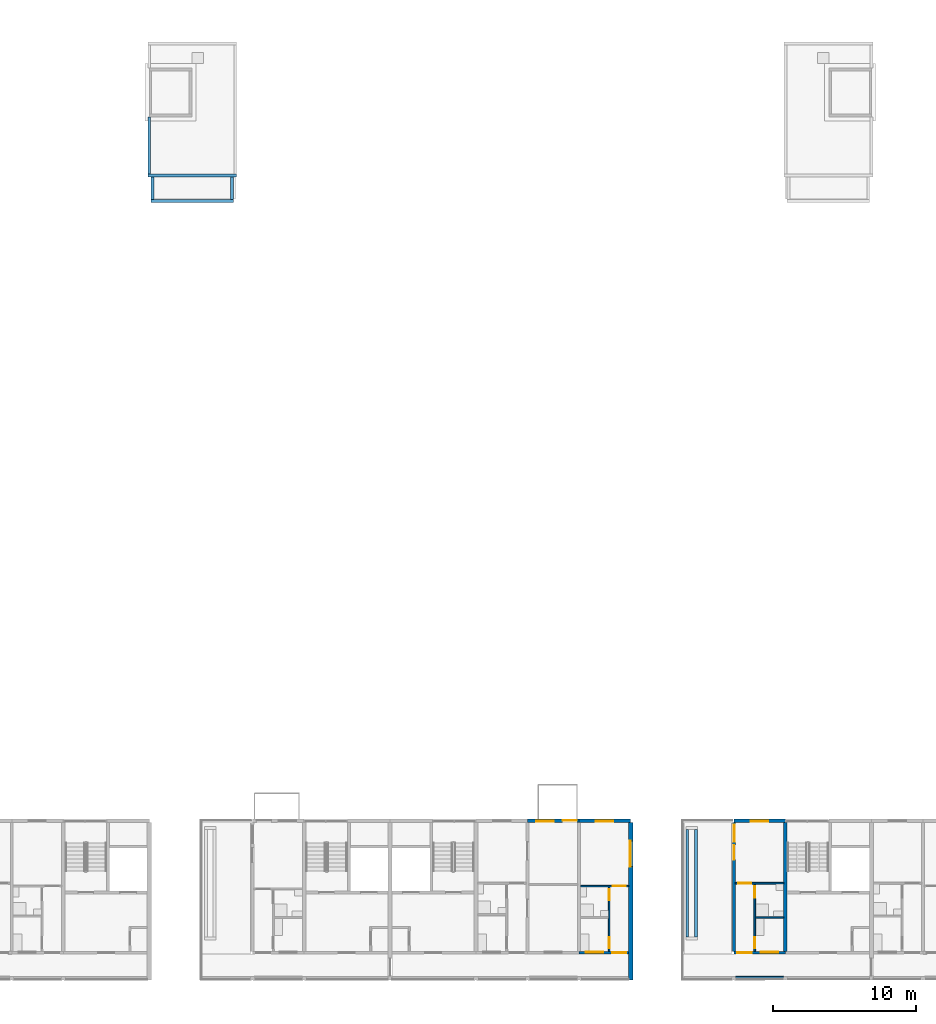
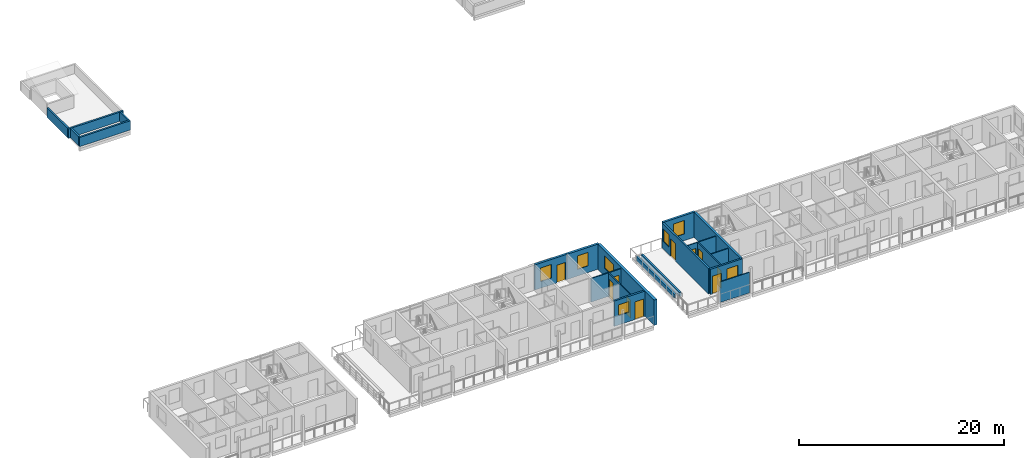
# One storey, part 26 of 64: 21 walls, 10 doors, 7 windows, 17 openings.
"""IFC4 building model written with IfcOpenShell, lengths in metres."""

from ifc_helpers import new_model, si_unit, direction, frame, frame_2d, origin, place, context, subcontext, project, spatial, rectangle, extrude, material, layer, layer_set, type_object, element, fill, save


model = new_model("IFC4")

# Units and contexts
model_context = context("Model", 3, precision=1e-05, world=origin(), true_north=direction((0.0, 1.0)))
body_context = subcontext(model_context, "Body", "Model", "MODEL_VIEW")
ifc_project = project(units=[si_unit("LENGTHUNIT", "METRE"), si_unit("AREAUNIT", "SQUARE_METRE"), si_unit("VOLUMEUNIT", "CUBIC_METRE"), si_unit("PLANEANGLEUNIT", "RADIAN"), si_unit("MASSUNIT", "GRAM", prefix="KILO")], contexts=[model_context])

# Site, building, storey
site_placement = place(None, origin())
site = spatial("IfcSite", under=ifc_project, at=site_placement, CompositionType="ELEMENT")
building_placement = place(site_placement, origin())
building = spatial("IfcBuilding", under=site, at=building_placement, Name="Ridgestep Commons", CompositionType="ELEMENT")
storey_placement = place(building_placement, frame((0.0, 0.0, 33.0)))
storey = spatial("IfcBuildingStorey", under=building, at=storey_placement, Name="L11", CompositionType="ELEMENT", Elevation=33.0)

# Wall
ifc_material_1 = material(Name="Concrete C30/37", Category="concrete")
ifc_layer_1 = layer(ifc_material_1, 0.25)
ifc_layer_set_1 = layer_set([ifc_layer_1], Name="Core cross wall 250")
wall_type_1 = type_object("IfcWallType", Name="Core cross wall 250", PredefinedType="SHEAR", material=ifc_layer_set_1)
wall_1_placement = place(storey_placement, frame((73.199951171875, 13.75, 0.0), z_axis=(0.0, 0.0, 1.0), x_axis=(0.0, 1.0, 0.0)))
element("IfcWall", 1, at=wall_1_placement, inside=storey, type_object=wall_type_1, Name="Cross wall A-11-0732", PredefinedType="SHEAR", context=body_context, shape_type="SweptSolid", body=[
    extrude(rectangle(XDim=9.0, YDim=0.25, at=frame_2d((4.5, 0.0))), origin(), (0.0, 0.0, 1.0), 3.0),
])

# Wall, openings, window, door
ifc_material_2 = material(Name="Precast concrete C40/50", Category="concrete")
ifc_layer_2 = layer(ifc_material_2, 0.199951171875)
ifc_layer_set_2 = layer_set([ifc_layer_2], Name="Exposed cross wall 200")
wall_type_2 = type_object("IfcWallType", Name="Exposed cross wall 200", PredefinedType="SHEAR", material=ifc_layer_set_2)
wall_2_placement = place(storey_placement, frame((69.60009765625, 13.75, 0.0), z_axis=(0.0, 0.0, 1.0), x_axis=(0.0, 1.0, 0.0)))
wall_2 = element("IfcWall", 2, at=wall_2_placement, inside=storey, type_object=wall_type_2, Name="Cross wall A-11-0696", PredefinedType="SHEAR", context=body_context, shape_type="SweptSolid", body=[
    extrude(rectangle(XDim=9.0, YDim=0.199951171875, at=frame_2d((4.5, 0.0))), origin(), (0.0, 0.0, 1.0), 3.0),
])
opening_1_placement = place(wall_2_placement, frame((7.652587890625, 0.0, 0.89990234375)))
opening_1 = element("IfcOpeningElement", 3, at=opening_1_placement, cuts=wall_2, Name="Opening W10", PredefinedType="OPENING", context=body_context, shape_type="SweptSolid", body=[
    extrude(rectangle(XDim=1.199951171875, YDim=1.5, at=frame_2d((0.60009765625, 0.75))), frame((0.0, 0.10986328125, 0.0), z_axis=(0.0, -1.0, 0.0), x_axis=(1.0, 0.0, 0.0)), (0.0, 0.0, 1.0), 0.219970703125),
])
opening_2_placement = place(wall_2_placement, frame((6.405029296875, 0.0, 0.0)))
opening_2 = element("IfcOpeningElement", 4, at=opening_2_placement, cuts=wall_2, Name="Opening A4-11a/5", PredefinedType="OPENING", context=body_context, shape_type="SweptSolid", body=[
    extrude(rectangle(XDim=1.0, YDim=2.10009765625, at=frame_2d((0.5, 1.050048828125))), frame((0.0, 0.10986328125, 0.0), z_axis=(0.0, -1.0, 0.0), x_axis=(1.0, 0.0, 0.0)), (0.0, 0.0, 1.0), 0.219970703125),
])
ifc_material_3 = material(Name="Aluminium 6063-T6 and glass", Category="aluminium")
window_type_1 = type_object("IfcWindowType", Name="Flat window 1200 x 1500", PartitioningType="SINGLE_PANEL", PredefinedType="WINDOW", material=ifc_material_3)
window_1_placement = place(opening_1_placement, origin())
window_1 = element("IfcWindow", 5, at=window_1_placement, inside=storey, type_object=window_type_1, Name="Window A4-11a 3", OverallHeight=1.5, OverallWidth=1.199951171875, PartitioningType="SINGLE_PANEL", PredefinedType="WINDOW", context=body_context, shape_type="SweptSolid", body=[
    extrude(rectangle(XDim=1.199951171875, YDim=1.5, at=frame_2d((0.60009765625, 0.75))), frame((0.0, 0.0, 0.0), z_axis=(0.0, -1.0, 0.0), x_axis=(1.0, 0.0, 0.0)), (0.0, 0.0, 1.0), 0.06005859375),
])
fill(opening_1, window_1)
ifc_material_4 = material(Name="Aluminium and glass", Category="aluminium")
door_type_1 = type_object("IfcDoorType", Name="Terrace door 1000 x 2100", OperationType="NOTDEFINED", PredefinedType="DOOR", material=ifc_material_4)
door_1_placement = place(opening_2_placement, origin())
door_1 = element("IfcDoor", 6, at=door_1_placement, inside=storey, type_object=door_type_1, Name="Terrace door A4-11a/5", OperationType="SINGLE_SWING_RIGHT", OverallHeight=2.10009765625, OverallWidth=1.0, PredefinedType="DOOR", context=body_context, shape_type="SweptSolid", body=[
    extrude(rectangle(XDim=1.0, YDim=2.10009765625, at=frame_2d((0.5, 1.050048828125))), frame((0.0, 0.02490234375, 0.0), z_axis=(0.0, -1.0, 0.0), x_axis=(1.0, 0.0, 0.0)), (0.0, 0.0, 1.0), 0.050048828125),
])
fill(opening_2, door_1)

# Wall, opening, window
ifc_material_5 = material(Name="Precast concrete C40/50", Category="concrete")
ifc_layer_3 = layer(ifc_material_5, 0.300048828125)
ifc_layer_set_3 = layer_set([ifc_layer_3], Name="Exposed division wall 300")
wall_type_3 = type_object("IfcWallType", Name="Exposed division wall 300", PredefinedType="SHEAR", material=ifc_layer_set_3)
wall_3_placement = place(storey_placement, frame((62.39990234375, 11.75, 0.0), z_axis=(0.0, 0.0, 1.0), x_axis=(0.0, 1.0, 0.0)))
wall_3 = element("IfcWall", 7, at=wall_3_placement, inside=storey, type_object=wall_type_3, Name="Cross wall A-11-0624", PredefinedType="SHEAR", context=body_context, shape_type="SweptSolid", body=[
    extrude(rectangle(XDim=11.0, YDim=0.300048828125, at=frame_2d((5.5, 0.0))), origin(), (0.0, 0.0, 1.0), 3.0),
])
opening_3_placement = place(wall_3_placement, frame((7.905029296875, 0.0, 0.89990234375)))
opening_3 = element("IfcOpeningElement", 8, at=opening_3_placement, cuts=wall_3, Name="Opening W20", PredefinedType="OPENING", context=body_context, shape_type="SweptSolid", body=[
    extrude(rectangle(XDim=1.800048828125, YDim=1.5, at=frame_2d((0.89990234375, 0.75))), frame((0.0, 0.159912109375, 0.0), z_axis=(0.0, -1.0, 0.0), x_axis=(1.0, 0.0, 0.0)), (0.0, 0.0, 1.0), 0.320068359375),
])
ifc_material_6 = material(Name="Aluminium 6063-T6 and glass", Category="aluminium")
window_type_2 = type_object("IfcWindowType", Name="Flat window 1800 x 1500", PartitioningType="DOUBLE_PANEL_VERTICAL", PredefinedType="WINDOW", material=ifc_material_6)
window_2_placement = place(opening_3_placement, origin())
window_2 = element("IfcWindow", 9, at=window_2_placement, inside=storey, type_object=window_type_2, Name="Window A3-11a 3", OverallHeight=1.5, OverallWidth=1.800048828125, PartitioningType="SINGLE_PANEL", PredefinedType="WINDOW", context=body_context, shape_type="SweptSolid", body=[
    extrude(rectangle(XDim=1.800048828125, YDim=1.5, at=frame_2d((0.89990234375, 0.75))), frame((0.0, 0.06005859375, 0.0), z_axis=(0.0, -1.0, 0.0), x_axis=(1.0, 0.0, 0.0)), (0.0, 0.0, 1.0), 0.06005859375),
])
fill(opening_3, window_2)

# Wall, openings, door, window
ifc_material_7 = material(Name="Precast concrete C40/50", Category="concrete")
ifc_layer_4 = layer(ifc_material_7, 0.25)
ifc_layer_set_4 = layer_set([ifc_layer_4], Name="North facade panel 250")
wall_type_4 = type_object("IfcWallType", Name="North facade panel 250", PredefinedType="SOLIDWALL", material=ifc_layer_set_4)
wall_4_placement = place(storey_placement, frame((55.199951171875, 22.875, 0.0), z_axis=(0.0, 0.0, 1.0), x_axis=(1.0, 0.0, 0.0)))
wall_4 = element("IfcWall", 10, at=wall_4_placement, inside=storey, type_object=wall_type_4, Name="North panel A3T2 L11", PredefinedType="SOLIDWALL", context=body_context, shape_type="SweptSolid", body=[
    extrude(rectangle(XDim=3.60009765625, YDim=0.25, at=frame_2d((1.800048828125, 0.0))), origin(), (0.0, 0.0, 1.0), 3.0),
])
opening_4_placement = place(wall_4_placement, frame((0.623046875, 0.0, 0.800048828125)))
opening_4 = element("IfcOpeningElement", 11, at=opening_4_placement, cuts=wall_4, Name="Opening W11", PredefinedType="OPENING", context=body_context, shape_type="SweptSolid", body=[
    extrude(rectangle(XDim=1.199951171875, YDim=1.60009765625, at=frame_2d((0.60009765625, 0.800048828125))), frame((0.0, 0.135009765625, 0.0), z_axis=(0.0, -1.0, 0.0), x_axis=(1.0, 0.0, 0.0)), (0.0, 0.0, 1.0), 0.27001953125),
])
opening_5_placement = place(wall_4_placement, frame((2.446044921875, 0.0, 0.0)))
opening_5 = element("IfcOpeningElement", 12, at=opening_5_placement, cuts=wall_4, Name="Opening A3-11b/7", PredefinedType="OPENING", context=body_context, shape_type="SweptSolid", body=[
    extrude(rectangle(XDim=1.0, YDim=2.10009765625, at=frame_2d((0.5, 1.050048828125))), frame((0.0, 0.135009765625, 0.0), z_axis=(0.0, -1.0, 0.0), x_axis=(1.0, 0.0, 0.0)), (0.0, 0.0, 1.0), 0.27001953125),
])
ifc_material_8 = material(Name="Aluminium and glass", Category="aluminium")
door_type_2 = type_object("IfcDoorType", Name="Balcony door 1000 x 2100", OperationType="NOTDEFINED", PredefinedType="DOOR", material=ifc_material_8)
door_2_placement = place(opening_5_placement, origin())
door_2 = element("IfcDoor", 13, at=door_2_placement, inside=storey, type_object=door_type_2, Name="Balcony door A3-11b/7", OperationType="SINGLE_SWING_LEFT", OverallHeight=2.10009765625, OverallWidth=1.0, PredefinedType="DOOR", context=body_context, shape_type="SweptSolid", body=[
    extrude(rectangle(XDim=1.0, YDim=2.10009765625, at=frame_2d((0.5, 1.050048828125))), frame((0.0, 0.02490234375, 0.0), z_axis=(0.0, -1.0, 0.0), x_axis=(1.0, 0.0, 0.0)), (0.0, 0.0, 1.0), 0.050048828125),
])
fill(opening_5, door_2)
ifc_material_9 = material(Name="Aluminium 6063-T6 and glass", Category="aluminium")
window_type_3 = type_object("IfcWindowType", Name="Flat window 1200 x 1600", PartitioningType="SINGLE_PANEL", PredefinedType="WINDOW", material=ifc_material_9)
window_3_placement = place(opening_4_placement, origin())
window_3 = element("IfcWindow", 14, at=window_3_placement, inside=storey, type_object=window_type_3, Name="Window A3-11b 2", OverallHeight=1.60009765625, OverallWidth=1.199951171875, PartitioningType="SINGLE_PANEL", PredefinedType="WINDOW", context=body_context, shape_type="SweptSolid", body=[
    extrude(rectangle(XDim=1.199951171875, YDim=1.60009765625, at=frame_2d((0.60009765625, 0.800048828125))), frame((0.0, -0.02490234375, 0.0), z_axis=(0.0, -1.0, 0.0), x_axis=(1.0, 0.0, 0.0)), (0.0, 0.0, 1.0), 0.06005859375),
])
fill(opening_4, window_3)

# Wall, opening, window
wall_5_placement = place(storey_placement, frame((58.800048828125, 22.875, 0.0), z_axis=(0.0, 0.0, 1.0), x_axis=(1.0, 0.0, 0.0)))
wall_5 = element("IfcWall", 15, at=wall_5_placement, inside=storey, type_object=wall_type_4, Name="North panel A3T1 L11", PredefinedType="SOLIDWALL", context=body_context, shape_type="SweptSolid", body=[
    extrude(rectangle(XDim=3.599853515625, YDim=0.25, at=frame_2d((1.7998046875, 0.0))), origin(), (0.0, 0.0, 1.0), 3.0),
])
opening_6_placement = place(wall_5_placement, frame((1.175048828125, 0.0, 0.800048828125)))
opening_6 = element("IfcOpeningElement", 16, at=opening_6_placement, cuts=wall_5, Name="Opening W11", PredefinedType="OPENING", context=body_context, shape_type="SweptSolid", body=[
    extrude(rectangle(XDim=1.199951171875, YDim=1.60009765625, at=frame_2d((0.60009765625, 0.800048828125))), frame((0.0, 0.135009765625, 0.0), z_axis=(0.0, -1.0, 0.0), x_axis=(1.0, 0.0, 0.0)), (0.0, 0.0, 1.0), 0.27001953125),
])
window_4_placement = place(opening_6_placement, origin())
window_4 = element("IfcWindow", 17, at=window_4_placement, inside=storey, type_object=window_type_3, Name="Window A3-11a 2", OverallHeight=1.60009765625, OverallWidth=1.199951171875, PartitioningType="SINGLE_PANEL", PredefinedType="WINDOW", context=body_context, shape_type="SweptSolid", body=[
    extrude(rectangle(XDim=1.199951171875, YDim=1.60009765625, at=frame_2d((0.60009765625, 0.800048828125))), frame((0.0, -0.02490234375, 0.0), z_axis=(0.0, -1.0, 0.0), x_axis=(1.0, 0.0, 0.0)), (0.0, 0.0, 1.0), 0.06005859375),
])
fill(opening_6, window_4)

wall_6_placement = place(storey_placement, frame((69.60009765625, 22.875, 0.0), z_axis=(0.0, 0.0, 1.0), x_axis=(1.0, 0.0, 0.0)))
wall_6 = element("IfcWall", 18, at=wall_6_placement, inside=storey, type_object=wall_type_4, Name="North panel A4T3 L11", PredefinedType="SOLIDWALL", context=body_context, shape_type="SweptSolid", body=[
    extrude(rectangle(XDim=3.599853515625, YDim=0.25, at=frame_2d((1.7998046875, 0.0))), origin(), (0.0, 0.0, 1.0), 3.0),
])
opening_7_placement = place(wall_6_placement, frame((1.1875, 0.0, 0.800048828125)))
opening_7 = element("IfcOpeningElement", 19, at=opening_7_placement, cuts=wall_6, Name="Opening W11", PredefinedType="OPENING", context=body_context, shape_type="SweptSolid", body=[
    extrude(rectangle(XDim=1.199951171875, YDim=1.60009765625, at=frame_2d((0.60009765625, 0.800048828125))), frame((0.0, 0.135009765625, 0.0), z_axis=(0.0, -1.0, 0.0), x_axis=(1.0, 0.0, 0.0)), (0.0, 0.0, 1.0), 0.27001953125),
])
window_5_placement = place(opening_7_placement, origin())
window_5 = element("IfcWindow", 20, at=window_5_placement, inside=storey, type_object=window_type_3, Name="Window A4-11a 2", OverallHeight=1.60009765625, OverallWidth=1.199951171875, PartitioningType="SINGLE_PANEL", PredefinedType="WINDOW", context=body_context, shape_type="SweptSolid", body=[
    extrude(rectangle(XDim=1.199951171875, YDim=1.60009765625, at=frame_2d((0.60009765625, 0.800048828125))), frame((0.0, -0.02490234375, 0.0), z_axis=(0.0, -1.0, 0.0), x_axis=(1.0, 0.0, 0.0)), (0.0, 0.0, 1.0), 0.06005859375),
])
fill(opening_7, window_5)

# Walls
ifc_material_10 = material(Name="Precast concrete C40/50", Category="concrete")
ifc_layer_5 = layer(ifc_material_10, 0.199951171875)
ifc_layer_set_5 = layer_set([ifc_layer_5], Name="Parapet wall 200")
wall_type_5 = type_object("IfcWallType", Name="Parapet wall 200", PredefinedType="PARAPET", material=ifc_layer_set_5)
wall_7_placement = place(storey_placement, frame((28.699951171875, 67.89990234375, 0.0), z_axis=(0.0, 0.0, 1.0), x_axis=(1.0, 0.0, 0.0)))
element("IfcWall", 21, at=wall_7_placement, inside=storey, type_object=wall_type_5, Name="Parapet B2C south", PredefinedType="PARAPET", context=body_context, shape_type="SweptSolid", body=[
    extrude(rectangle(XDim=6.199951171875, YDim=0.199951171875, at=frame_2d((3.10009765625, 0.0))), origin(), (0.0, 0.0, 1.0), 1.10009765625),
])
wall_8_placement = place(storey_placement, frame((28.800048828125, 68.0, 0.0), z_axis=(0.0, 0.0, 1.0), x_axis=(0.0, 1.0, 0.0)))
element("IfcWall", 22, at=wall_8_placement, inside=storey, type_object=wall_type_5, Name="Parapet B2C west", PredefinedType="PARAPET", context=body_context, shape_type="SweptSolid", body=[
    extrude(rectangle(XDim=4.0, YDim=0.199951171875, at=frame_2d((2.0, 0.0))), origin(), (0.0, 0.0, 1.0), 1.10009765625),
])
wall_9_placement = place(storey_placement, frame((28.925048828125, 66.125, 0.0), z_axis=(0.0, 0.0, 1.0), x_axis=(1.0, 0.0, 0.0)))
element("IfcWall", 23, at=wall_9_placement, inside=storey, type_object=wall_type_5, Name="Parapet B2C gallery south", PredefinedType="PARAPET", context=body_context, shape_type="SweptSolid", body=[
    extrude(rectangle(XDim=5.75, YDim=0.199951171875, at=frame_2d((2.875, 0.0))), origin(), (0.0, 0.0, 1.0), 1.10009765625),
])
for number, where, z_axis, x_axis, name in (
    (24, (29.02490234375, 66.22509765625, 0.0), (0.0, 0.0, 1.0), (0.0, 1.0, 0.0), "Parapet B2C gallery west"),
    (25, (34.574951171875, 66.22509765625, 0.0), (0.0, 0.0, 1.0), (0.0, 1.0, 0.0), "Parapet B2C gallery east"),
):
    element("IfcWall", number, at=place(storey_placement, frame(where, z_axis=z_axis, x_axis=x_axis)), inside=storey, type_object=wall_type_5, Name=name, PredefinedType="PARAPET", context=body_context, shape_type="SweptSolid", body=[
        extrude(rectangle(XDim=1.574951171875, YDim=0.199951171875, at=frame_2d((0.78759765625, 0.0))), origin(), (0.0, 0.0, 1.0), 1.10009765625),
    ])

# Wall, openings, doors
ifc_material_11 = material(Name="Common brick 110 mm", Category="masonry")
ifc_layer_6 = layer(ifc_material_11, 0.110107421875)
ifc_layer_set_6 = layer_set([ifc_layer_6], Name="Partition 110")
wall_type_6 = type_object("IfcWallType", Name="Partition 110", PredefinedType="PARTITIONING", material=ifc_layer_set_6)
wall_10_placement = place(storey_placement, frame((60.89501953125, 13.75, 0.0), z_axis=(0.0, 0.0, 1.0), x_axis=(0.0, 1.0, 0.0)))
wall_10 = element("IfcWall", 26, at=wall_10_placement, inside=storey, type_object=wall_type_6, Name="Partition A3-11a", PredefinedType="PARTITIONING", context=body_context, shape_type="SweptSolid", body=[
    extrude(rectangle(XDim=4.5, YDim=0.110107421875, at=frame_2d((2.25, 0.0))), origin(), (0.0, 0.0, 1.0), 2.800048828125),
])
opening_8_placement = place(wall_10_placement, frame((0.199951171875, 0.0, 0.0)))
opening_8 = element("IfcOpeningElement", 27, at=opening_8_placement, cuts=wall_10, Name="Opening A3-11a/2", PredefinedType="OPENING", context=body_context, shape_type="SweptSolid", body=[
    extrude(rectangle(XDim=0.800048828125, YDim=2.10009765625, at=frame_2d((0.39990234375, 1.050048828125))), frame((0.0, 0.06494140625, 0.0), z_axis=(0.0, -1.0, 0.0), x_axis=(1.0, 0.0, 0.0)), (0.0, 0.0, 1.0), 0.130126953125),
])
opening_9_placement = place(wall_10_placement, frame((3.550048828125, 0.0, 0.0)))
opening_9 = element("IfcOpeningElement", 28, at=opening_9_placement, cuts=wall_10, Name="Opening A3-11a/3", PredefinedType="OPENING", context=body_context, shape_type="SweptSolid", body=[
    extrude(rectangle(XDim=0.800048828125, YDim=2.10009765625, at=frame_2d((0.39990234375, 1.050048828125))), frame((0.0, 0.06494140625, 0.0), z_axis=(0.0, -1.0, 0.0), x_axis=(1.0, 0.0, 0.0)), (0.0, 0.0, 1.0), 0.130126953125),
])
ifc_material_12 = material(Name="Timber door leaf", Category="wood")
door_type_3 = type_object("IfcDoorType", Name="Internal door 800 x 2100", OperationType="NOTDEFINED", PredefinedType="DOOR", material=ifc_material_12)
door_3_placement = place(opening_8_placement, origin())
door_3 = element("IfcDoor", 29, at=door_3_placement, inside=storey, type_object=door_type_3, Name="Internal door A3-11a/2", OperationType="SINGLE_SWING_LEFT", OverallHeight=2.10009765625, OverallWidth=0.800048828125, PredefinedType="DOOR", context=body_context, shape_type="SweptSolid", body=[
    extrude(rectangle(XDim=0.800048828125, YDim=2.10009765625, at=frame_2d((0.39990234375, 1.050048828125))), frame((0.0, 0.02490234375, 0.0), z_axis=(0.0, -1.0, 0.0), x_axis=(1.0, 0.0, 0.0)), (0.0, 0.0, 1.0), 0.050048828125),
])
fill(opening_8, door_3)
door_4_placement = place(opening_9_placement, origin())
door_4 = element("IfcDoor", 30, at=door_4_placement, inside=storey, type_object=door_type_3, Name="Internal door A3-11a/3", OperationType="SINGLE_SWING_RIGHT", OverallHeight=2.10009765625, OverallWidth=0.800048828125, PredefinedType="DOOR", context=body_context, shape_type="SweptSolid", body=[
    extrude(rectangle(XDim=0.800048828125, YDim=2.10009765625, at=frame_2d((0.39990234375, 1.050048828125))), frame((0.0, 0.02490234375, 0.0), z_axis=(0.0, -1.0, 0.0), x_axis=(1.0, 0.0, 0.0)), (0.0, 0.0, 1.0), 0.050048828125),
])
fill(opening_9, door_4)

# Wall, opening, door
wall_11_placement = place(storey_placement, frame((58.89990234375, 18.304931640625, 0.0), z_axis=(0.0, 0.0, 1.0), x_axis=(1.0, 0.0, 0.0)))
wall_11 = element("IfcWall", 31, at=wall_11_placement, inside=storey, type_object=wall_type_6, Name="Partition A3-11a", PredefinedType="PARTITIONING", context=body_context, shape_type="SweptSolid", body=[
    extrude(rectangle(XDim=3.35009765625, YDim=0.110107421875, at=frame_2d((1.675048828125, 0.0))), origin(), (0.0, 0.0, 1.0), 2.800048828125),
])
opening_10_placement = place(wall_11_placement, frame((2.25, 0.0, 0.0)))
opening_10 = element("IfcOpeningElement", 32, at=opening_10_placement, cuts=wall_11, Name="Opening A3-11a/4", PredefinedType="OPENING", context=body_context, shape_type="SweptSolid", body=[
    extrude(rectangle(XDim=0.89990234375, YDim=2.10009765625, at=frame_2d((0.449951171875, 1.050048828125))), frame((0.0, 0.06494140625, 0.0), z_axis=(0.0, -1.0, 0.0), x_axis=(1.0, 0.0, 0.0)), (0.0, 0.0, 1.0), 0.130126953125),
])
ifc_material_13 = material(Name="Timber door leaf", Category="wood")
door_type_4 = type_object("IfcDoorType", Name="Internal door 900 x 2100", OperationType="NOTDEFINED", PredefinedType="DOOR", material=ifc_material_13)
door_5_placement = place(opening_10_placement, origin())
door_5 = element("IfcDoor", 33, at=door_5_placement, inside=storey, type_object=door_type_4, Name="Internal door A3-11a/4", OperationType="SINGLE_SWING_LEFT", OverallHeight=2.10009765625, OverallWidth=0.89990234375, PredefinedType="DOOR", context=body_context, shape_type="SweptSolid", body=[
    extrude(rectangle(XDim=0.89990234375, YDim=2.10009765625, at=frame_2d((0.449951171875, 1.050048828125))), frame((0.0, 0.02490234375, 0.0), z_axis=(0.0, -1.0, 0.0), x_axis=(1.0, 0.0, 0.0)), (0.0, 0.0, 1.0), 0.050048828125),
])
fill(opening_10, door_5)

# Wall, openings, doors
wall_12_placement = place(storey_placement, frame((71.054931640625, 13.75, 0.0), z_axis=(0.0, 0.0, 1.0), x_axis=(0.0, 1.0, 0.0)))
wall_12 = element("IfcWall", 34, at=wall_12_placement, inside=storey, type_object=wall_type_6, Name="Partition A4-11a", PredefinedType="PARTITIONING", context=body_context, shape_type="SweptSolid", body=[
    extrude(rectangle(XDim=4.699951171875, YDim=0.110107421875, at=frame_2d((2.35009765625, 0.0))), origin(), (0.0, 0.0, 1.0), 2.75),
])
opening_11_placement = place(wall_12_placement, frame((0.199951171875, 0.0, 0.0)))
opening_11 = element("IfcOpeningElement", 35, at=opening_11_placement, cuts=wall_12, Name="Opening A4-11a/2", PredefinedType="OPENING", context=body_context, shape_type="SweptSolid", body=[
    extrude(rectangle(XDim=0.800048828125, YDim=2.10009765625, at=frame_2d((0.39990234375, 1.050048828125))), frame((0.0, 0.06494140625, 0.0), z_axis=(0.0, -1.0, 0.0), x_axis=(1.0, 0.0, 0.0)), (0.0, 0.0, 1.0), 0.130126953125),
])
opening_12_placement = place(wall_12_placement, frame((3.75, 0.0, 0.0)))
opening_12 = element("IfcOpeningElement", 36, at=opening_12_placement, cuts=wall_12, Name="Opening A4-11a/3", PredefinedType="OPENING", context=body_context, shape_type="SweptSolid", body=[
    extrude(rectangle(XDim=0.800048828125, YDim=2.10009765625, at=frame_2d((0.39990234375, 1.050048828125))), frame((0.0, 0.06494140625, 0.0), z_axis=(0.0, -1.0, 0.0), x_axis=(1.0, 0.0, 0.0)), (0.0, 0.0, 1.0), 0.130126953125),
])
door_6_placement = place(opening_11_placement, origin())
door_6 = element("IfcDoor", 37, at=door_6_placement, inside=storey, type_object=door_type_3, Name="Internal door A4-11a/2", OperationType="SINGLE_SWING_RIGHT", OverallHeight=2.10009765625, OverallWidth=0.800048828125, PredefinedType="DOOR", context=body_context, shape_type="SweptSolid", body=[
    extrude(rectangle(XDim=0.800048828125, YDim=2.10009765625, at=frame_2d((0.39990234375, 1.050048828125))), frame((0.0, 0.02490234375, 0.0), z_axis=(0.0, -1.0, 0.0), x_axis=(1.0, 0.0, 0.0)), (0.0, 0.0, 1.0), 0.050048828125),
])
fill(opening_11, door_6)
door_7_placement = place(opening_12_placement, origin())
door_7 = element("IfcDoor", 38, at=door_7_placement, inside=storey, type_object=door_type_3, Name="Internal door A4-11a/3", OperationType="SINGLE_SWING_LEFT", OverallHeight=2.10009765625, OverallWidth=0.800048828125, PredefinedType="DOOR", context=body_context, shape_type="SweptSolid", body=[
    extrude(rectangle(XDim=0.800048828125, YDim=2.10009765625, at=frame_2d((0.39990234375, 1.050048828125))), frame((0.0, 0.02490234375, 0.0), z_axis=(0.0, -1.0, 0.0), x_axis=(1.0, 0.0, 0.0)), (0.0, 0.0, 1.0), 0.050048828125),
])
fill(opening_12, door_7)

# Wall
wall_13_placement = place(storey_placement, frame((71.110107421875, 16.10498046875, 0.0), z_axis=(0.0, 0.0, 1.0), x_axis=(1.0, 0.0, 0.0)))
element("IfcWall", 39, at=wall_13_placement, inside=storey, type_object=wall_type_6, Name="Partition A4-11a", PredefinedType="PARTITIONING", context=body_context, shape_type="SweptSolid", body=[
    extrude(rectangle(XDim=1.96484375, YDim=0.110107421875, at=frame_2d((0.982421875, 0.0))), origin(), (0.0, 0.0, 1.0), 2.75),
])

# Wall, opening, door
wall_14_placement = place(storey_placement, frame((69.699951171875, 18.5048828125, 0.0), z_axis=(0.0, 0.0, 1.0), x_axis=(1.0, 0.0, 0.0)))
wall_14 = element("IfcWall", 40, at=wall_14_placement, inside=storey, type_object=wall_type_6, Name="Partition A4-11a", PredefinedType="PARTITIONING", context=body_context, shape_type="SweptSolid", body=[
    extrude(rectangle(XDim=3.375, YDim=0.110107421875, at=frame_2d((1.6875, 0.0))), origin(), (0.0, 0.0, 1.0), 2.75),
])
opening_13_placement = place(wall_14_placement, frame((0.199951171875, 0.0, 0.0)))
opening_13 = element("IfcOpeningElement", 41, at=opening_13_placement, cuts=wall_14, Name="Opening A4-11a/4", PredefinedType="OPENING", context=body_context, shape_type="SweptSolid", body=[
    extrude(rectangle(XDim=0.89990234375, YDim=2.10009765625, at=frame_2d((0.449951171875, 1.050048828125))), frame((0.0, 0.06494140625, 0.0), z_axis=(0.0, -1.0, 0.0), x_axis=(1.0, 0.0, 0.0)), (0.0, 0.0, 1.0), 0.130126953125),
])
door_8_placement = place(opening_13_placement, origin())
door_8 = element("IfcDoor", 42, at=door_8_placement, inside=storey, type_object=door_type_4, Name="Internal door A4-11a/4", OperationType="SINGLE_SWING_LEFT", OverallHeight=2.10009765625, OverallWidth=0.89990234375, PredefinedType="DOOR", context=body_context, shape_type="SweptSolid", body=[
    extrude(rectangle(XDim=0.89990234375, YDim=2.10009765625, at=frame_2d((0.449951171875, 1.050048828125))), frame((0.0, 0.02490234375, 0.0), z_axis=(0.0, -1.0, 0.0), x_axis=(1.0, 0.0, 0.0)), (0.0, 0.0, 1.0), 0.050048828125),
])
fill(opening_13, door_8)

# Walls
ifc_material_14 = material(Name="Precast concrete C30/37", Category="concrete")
ifc_layer_7 = layer(ifc_material_14, 0.10009765625)
ifc_layer_set_7 = layer_set([ifc_layer_7], Name="Perforated gallery screen 3350 x 2450 x 100")
wall_type_7 = type_object("IfcWallType", Name="Perforated gallery screen 3350 x 2450 x 100", PredefinedType="SOLIDWALL", material=ifc_layer_set_7)
wall_15_placement = place(storey_placement, frame((69.72509765625, 11.949951171875, 0.0), z_axis=(0.0, 0.0, 1.0), x_axis=(1.0, 0.0, 0.0)))
element("IfcWall", 43, at=wall_15_placement, inside=storey, type_object=wall_type_7, Name="Gallery screen A4T3 11", PredefinedType="SOLIDWALL", context=body_context, shape_type="SweptSolid", body=[
    extrude(rectangle(XDim=3.349853515625, YDim=0.10009765625, at=frame_2d((1.6748046875, 0.0))), origin(), (0.0, 0.0, 1.0), 2.449951171875),
])
ifc_material_15 = material(Name="Facing brick", Category="masonry")
ifc_layer_8 = layer(ifc_material_15, 0.199951171875)
ifc_layer_set_8 = layer_set([ifc_layer_8], Name="Planter wall 200")
wall_type_8 = type_object("IfcWallType", Name="Planter wall 200", PredefinedType="SOLIDWALL", material=ifc_layer_set_8)
for number, where, z_axis, x_axis, name in (
    (44, (66.35009765625, 14.75, 0.010009765625), (0.0, 0.0, 1.0), (0.0, 1.0, 0.0), "Planter wall A4R2W"),
    (45, (66.949951171875, 14.75, 0.010009765625), (0.0, 0.0, 1.0), (0.0, 1.0, 0.0), "Planter wall A4R2E"),
):
    element("IfcWall", number, at=place(storey_placement, frame(where, z_axis=z_axis, x_axis=x_axis)), inside=storey, type_object=wall_type_8, Name=name, PredefinedType="SOLIDWALL", context=body_context, shape_type="SweptSolid", body=[
        extrude(rectangle(XDim=7.5, YDim=0.199951171875, at=frame_2d((3.75, 0.0))), origin(), (0.0, 0.0, 1.0), 0.449951171875),
    ])

# Wall, openings, door, window
ifc_material_16 = material(Name="Precast concrete C40/50", Category="concrete")
ifc_layer_9 = layer(ifc_material_16, 0.199951171875)
ifc_layer_set_9 = layer_set([ifc_layer_9], Name="South facade panel 200")
wall_type_9 = type_object("IfcWallType", Name="South facade panel 200", PredefinedType="SOLIDWALL", material=ifc_layer_set_9)
wall_16_placement = place(storey_placement, frame((58.800048828125, 13.64990234375, 0.0), z_axis=(0.0, 0.0, 1.0), x_axis=(1.0, 0.0, 0.0)))
wall_16 = element("IfcWall", 46, at=wall_16_placement, inside=storey, type_object=wall_type_9, Name="South panel A3T1 L11", PredefinedType="SOLIDWALL", context=body_context, shape_type="SweptSolid", body=[
    extrude(rectangle(XDim=3.449951171875, YDim=0.199951171875, at=frame_2d((1.72509765625, 0.0))), origin(), (0.0, 0.0, 1.0), 3.0),
])
opening_14_placement = place(wall_16_placement, frame((0.469970703125, 0.0, 1.10009765625)))
opening_14 = element("IfcOpeningElement", 47, at=opening_14_placement, cuts=wall_16, Name="Opening W08", PredefinedType="OPENING", context=body_context, shape_type="SweptSolid", body=[
    extrude(rectangle(XDim=1.199951171875, YDim=1.300048828125, at=frame_2d((0.60009765625, 0.64990234375))), frame((0.0, 0.10986328125, 0.0), z_axis=(0.0, -1.0, 0.0), x_axis=(1.0, 0.0, 0.0)), (0.0, 0.0, 1.0), 0.219970703125),
])
opening_15_placement = place(wall_16_placement, frame((2.300048828125, 0.0, 0.0)))
opening_15 = element("IfcOpeningElement", 48, at=opening_15_placement, cuts=wall_16, Name="Opening A3-11a/1", PredefinedType="OPENING", context=body_context, shape_type="SweptSolid", body=[
    extrude(rectangle(XDim=1.0, YDim=2.10009765625, at=frame_2d((0.5, 1.050048828125))), frame((0.0, 0.10986328125, 0.0), z_axis=(0.0, -1.0, 0.0), x_axis=(1.0, 0.0, 0.0)), (0.0, 0.0, 1.0), 0.219970703125),
])
ifc_material_17 = material(Name="Timber door leaf", Category="wood")
door_type_5 = type_object("IfcDoorType", Name="Flat entrance door 1000 x 2100 FD30S", OperationType="NOTDEFINED", PredefinedType="DOOR", material=ifc_material_17)
door_9_placement = place(opening_15_placement, origin())
door_9 = element("IfcDoor", 49, at=door_9_placement, inside=storey, type_object=door_type_5, Name="Flat entrance door A3-11a/1", OperationType="SINGLE_SWING_RIGHT", OverallHeight=2.10009765625, OverallWidth=1.0, PredefinedType="DOOR", context=body_context, shape_type="SweptSolid", body=[
    extrude(rectangle(XDim=1.0, YDim=2.10009765625, at=frame_2d((0.5, 1.050048828125))), frame((0.0, 0.02490234375, 0.0), z_axis=(0.0, -1.0, 0.0), x_axis=(1.0, 0.0, 0.0)), (0.0, 0.0, 1.0), 0.050048828125),
])
fill(opening_15, door_9)
ifc_material_18 = material(Name="Aluminium 6063-T6 and glass", Category="aluminium")
window_type_4 = type_object("IfcWindowType", Name="Flat window 1200 x 1300", PartitioningType="SINGLE_PANEL", PredefinedType="WINDOW", material=ifc_material_18)
window_6_placement = place(opening_14_placement, origin())
window_6 = element("IfcWindow", 50, at=window_6_placement, inside=storey, type_object=window_type_4, Name="Window A3-11a 1", OverallHeight=1.300048828125, OverallWidth=1.199951171875, PartitioningType="SINGLE_PANEL", PredefinedType="WINDOW", context=body_context, shape_type="SweptSolid", body=[
    extrude(rectangle(XDim=1.199951171875, YDim=1.300048828125, at=frame_2d((0.60009765625, 0.64990234375))), frame((0.0, 0.06005859375, 0.0), z_axis=(0.0, -1.0, 0.0), x_axis=(1.0, 0.0, 0.0)), (0.0, 0.0, 1.0), 0.06005859375),
])
fill(opening_14, window_6)

wall_17_placement = place(storey_placement, frame((69.60009765625, 13.64990234375, 0.0), z_axis=(0.0, 0.0, 1.0), x_axis=(1.0, 0.0, 0.0)))
wall_17 = element("IfcWall", 51, at=wall_17_placement, inside=storey, type_object=wall_type_9, Name="South panel A4T3 L11", PredefinedType="SOLIDWALL", context=body_context, shape_type="SweptSolid", body=[
    extrude(rectangle(XDim=3.599853515625, YDim=0.199951171875, at=frame_2d((1.7998046875, 0.0))), origin(), (0.0, 0.0, 1.0), 3.0),
])
opening_16_placement = place(wall_17_placement, frame((1.892578125, 0.0, 1.10009765625)))
opening_16 = element("IfcOpeningElement", 52, at=opening_16_placement, cuts=wall_17, Name="Opening W08", PredefinedType="OPENING", context=body_context, shape_type="SweptSolid", body=[
    extrude(rectangle(XDim=1.199951171875, YDim=1.300048828125, at=frame_2d((0.60009765625, 0.64990234375))), frame((0.0, 0.10986328125, 0.0), z_axis=(0.0, -1.0, 0.0), x_axis=(1.0, 0.0, 0.0)), (0.0, 0.0, 1.0), 0.219970703125),
])
opening_17_placement = place(wall_17_placement, frame((0.25, 0.0, 0.0)))
opening_17 = element("IfcOpeningElement", 53, at=opening_17_placement, cuts=wall_17, Name="Opening A4-11a/1", PredefinedType="OPENING", context=body_context, shape_type="SweptSolid", body=[
    extrude(rectangle(XDim=1.0, YDim=2.10009765625, at=frame_2d((0.5, 1.050048828125))), frame((0.0, 0.10986328125, 0.0), z_axis=(0.0, -1.0, 0.0), x_axis=(1.0, 0.0, 0.0)), (0.0, 0.0, 1.0), 0.219970703125),
])
door_10_placement = place(opening_17_placement, origin())
door_10 = element("IfcDoor", 54, at=door_10_placement, inside=storey, type_object=door_type_5, Name="Flat entrance door A4-11a/1", OperationType="SINGLE_SWING_LEFT", OverallHeight=2.10009765625, OverallWidth=1.0, PredefinedType="DOOR", context=body_context, shape_type="SweptSolid", body=[
    extrude(rectangle(XDim=1.0, YDim=2.10009765625, at=frame_2d((0.5, 1.050048828125))), frame((0.0, 0.02490234375, 0.0), z_axis=(0.0, -1.0, 0.0), x_axis=(1.0, 0.0, 0.0)), (0.0, 0.0, 1.0), 0.050048828125),
])
fill(opening_17, door_10)
window_7_placement = place(opening_16_placement, origin())
window_7 = element("IfcWindow", 55, at=window_7_placement, inside=storey, type_object=window_type_4, Name="Window A4-11a 1", OverallHeight=1.300048828125, OverallWidth=1.199951171875, PartitioningType="SINGLE_PANEL", PredefinedType="WINDOW", context=body_context, shape_type="SweptSolid", body=[
    extrude(rectangle(XDim=1.199951171875, YDim=1.300048828125, at=frame_2d((0.60009765625, 0.64990234375))), frame((0.0, 0.06005859375, 0.0), z_axis=(0.0, -1.0, 0.0), x_axis=(1.0, 0.0, 0.0)), (0.0, 0.0, 1.0), 0.06005859375),
])
fill(opening_16, window_7)

save(model, "model.ifc")
